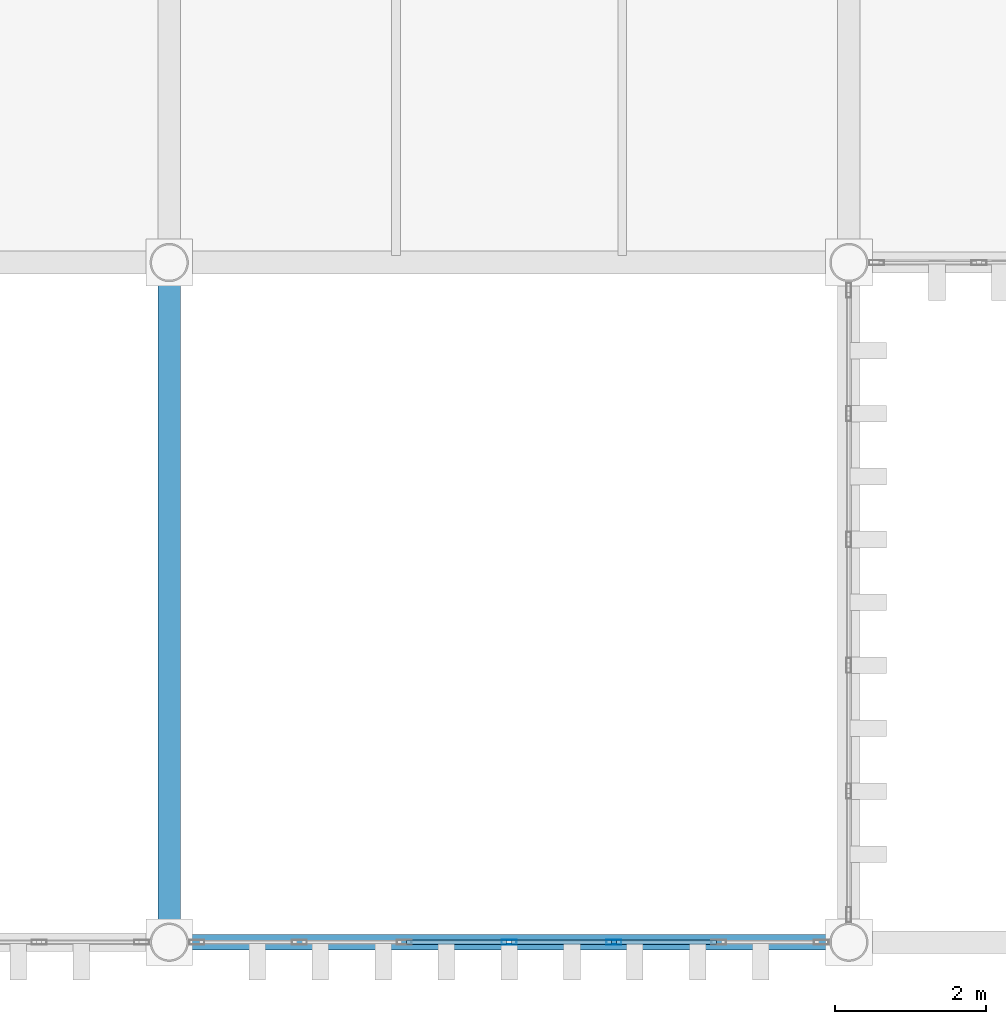
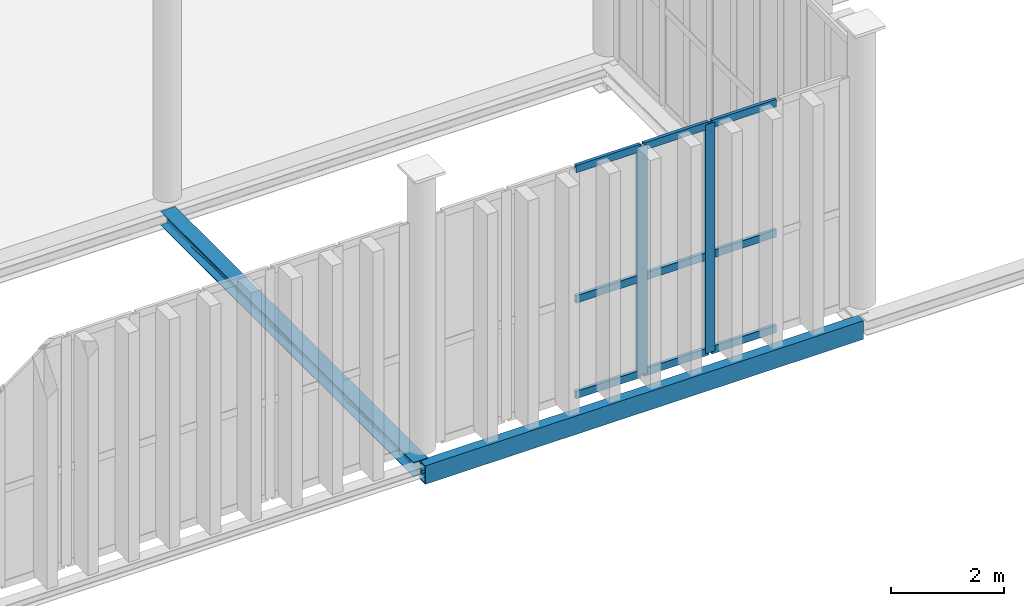
# One storey, part 27 of 211: 11 members, 2 beams, 1 element without a shape of its own.
"""IFC4 building model written with IfcOpenShell, lengths in metres."""

import ifcopenshell
import ifcopenshell.guid

model = None  # the IFC model being written
_history = None  # IfcOwnerHistory: only IFC2X3 demands one
_inside = {}  # id of a spatial element -> (the spatial element, [elements in it])
_under = {}  # id of a project, library or spatial element -> (it, [spatial elements below it])
_declared = {}  # id of a project -> (the project, [libraries it declares])
_typed = {}  # id of a type object -> (the type object, [elements of that type])
_made_of = {}  # id of a material, layer set ... -> (it, [elements and type objects made of it])


def new_model(schema):
    """Start an empty IFC model of exactly this schema.

    Asked for "IFC4X3", IfcOpenShell would pick the latest addendum, in which some entities
    have other attributes; the version numbers below select the first issue.
    IFC2X3 requires an IfcOwnerHistory on every rooted entity: one is made here for all.
    """
    global model, _history
    if schema == "IFC4X3":
        model = ifcopenshell.file(schema_version=(4, 3, 0, 0))
    else:
        model = ifcopenshell.file(schema=schema)
    _inside.clear()
    _under.clear()
    _declared.clear()
    _typed.clear()
    _made_of.clear()
    _history = None
    if model.schema == "IFC2X3":
        org = make("IfcOrganization", Name="unknown")
        user = make(
            "IfcPersonAndOrganization",
            ThePerson=make("IfcPerson", FamilyName="unknown"),
            TheOrganization=org,
        )
        app = make(
            "IfcApplication",
            ApplicationDeveloper=org,
            Version="unknown",
            ApplicationFullName="unknown",
            ApplicationIdentifier="unknown",
        )
        _history = make(
            "IfcOwnerHistory",
            OwningUser=user,
            OwningApplication=app,
            ChangeAction="ADDED",
            CreationDate=0,
        )
    return model


def make(cls, **values):
    """One entity of the class cls with the attributes given. An attribute that is None is left unset."""
    return model.create_entity(
        cls, **{name: value for name, value in values.items() if value is not None}
    )


def rooted(cls, **values):
    """An entity with a GlobalId (a new one), such as an element, a storey or a relation."""
    return make(cls, GlobalId=ifcopenshell.guid.new(), OwnerHistory=_history, **values)


def si_unit(unit_type, name, prefix=None):
    """IfcSIUnit, for example si_unit("LENGTHUNIT", "METRE", prefix="MILLI")."""
    return make("IfcSIUnit", UnitType=unit_type, Prefix=prefix, Name=name)


def assignment(units):
    """IfcUnitAssignment: the units of a project."""
    return None if units is None else make("IfcUnitAssignment", Units=units)


def point(xyz):
    """IfcCartesianPoint."""
    return None if xyz is None else make("IfcCartesianPoint", Coordinates=xyz)


def direction(xyz):
    """IfcDirection."""
    return None if xyz is None else make("IfcDirection", DirectionRatios=xyz)


def frame(location, z_axis=None, x_axis=None):
    """IfcAxis2Placement3D, a coordinate frame: its origin and axes. An axis left out is left unset."""
    return make(
        "IfcAxis2Placement3D",
        Location=point(location),
        Axis=direction(z_axis),
        RefDirection=direction(x_axis),
    )


def frame_2d(location, x_axis=None):
    """IfcAxis2Placement2D, a coordinate frame in the plane: its origin and x axis."""
    return make(
        "IfcAxis2Placement2D", Location=point(location), RefDirection=direction(x_axis)
    )


def origin():
    """The frame at (0, 0, 0) with its axes left unset."""
    return frame((0.0, 0.0, 0.0))


def origin_2d():
    """The frame at (0, 0) in the plane with its x axis left unset."""
    return frame_2d((0.0, 0.0))


def place(relative_to, where):
    """IfcLocalPlacement: puts the frame where relative to a parent placement (None: the world)."""
    return make(
        "IfcLocalPlacement", PlacementRelTo=relative_to, RelativePlacement=where
    )


def context(
    kind, dimensions, precision=None, world=None, true_north=None, identifier=None
):
    """IfcGeometricRepresentationContext, for example the 3D "Model" context."""
    return make(
        "IfcGeometricRepresentationContext",
        ContextIdentifier=identifier,
        ContextType=kind,
        CoordinateSpaceDimension=dimensions,
        Precision=precision,
        WorldCoordinateSystem=world,
        TrueNorth=true_north,
    )


def subcontext(parent, identifier, kind, view, scale=None):
    """IfcGeometricRepresentationSubContext, for example "Body" below "Model"."""
    return make(
        "IfcGeometricRepresentationSubContext",
        ContextIdentifier=identifier,
        ContextType=kind,
        ParentContext=parent,
        TargetScale=scale,
        TargetView=view,
    )


def project(units=None, contexts=None):
    """IfcProject with its units and contexts."""
    return rooted(
        "IfcProject",
        Name="project",
        RepresentationContexts=contexts,
        UnitsInContext=assignment(units),
    )


def spatial(cls, under=None, at=None, **own):
    """A site, building, storey or space (cls), placed at a placement, below another one or the project."""
    s = rooted(cls, ObjectPlacement=at, **own)
    if under is not None:
        _under.setdefault(under.id(), (under, []))[1].append(s)
    return s


def profile(cls, at=None, kind="AREA", **sizes):
    """A parametric profile (cls). Its sizes go by their IFC names, for example OverallWidth=200.0."""
    return make(cls, ProfileType=kind, Position=at, **sizes)


def hollow_rectangle(**sizes):
    """IfcRectangleHollowProfileDef."""
    return profile("IfcRectangleHollowProfileDef", **sizes)


def i_section(**sizes):
    """IfcIShapeProfileDef."""
    return profile("IfcIShapeProfileDef", **sizes)


def extrude(swept, where, along, depth):
    """IfcExtrudedAreaSolid: the profile swept, set in the frame where, extruded along a direction by depth."""
    return make(
        "IfcExtrudedAreaSolid",
        SweptArea=swept,
        Position=where,
        ExtrudedDirection=direction(along),
        Depth=depth,
    )


def shape(context_of_items, identifier, shape_type, items):
    """IfcShapeRepresentation: the items that make up one representation, for example the "Body"."""
    return make(
        "IfcShapeRepresentation",
        ContextOfItems=context_of_items,
        RepresentationIdentifier=identifier,
        RepresentationType=shape_type,
        Items=items,
    )


def material(Name=None, Category=None):
    """IfcMaterial."""
    return make("IfcMaterial", Name=Name, Category=Category)


def layer(
    of_material, thickness, ventilated=None, Name=None, Category=None, Priority=None
):
    """IfcMaterialLayer: one layer of a wall or slab, of a material (None: an air gap)."""
    return make(
        "IfcMaterialLayer",
        Material=of_material,
        LayerThickness=thickness,
        IsVentilated=ventilated,
        Name=Name,
        Category=Category,
        Priority=Priority,
    )


def layer_set(layers, Name=None):
    """IfcMaterialLayerSet."""
    return make("IfcMaterialLayerSet", MaterialLayers=layers, LayerSetName=Name)


def material_profile(
    of_material, cross_section, Name=None, Category=None, Priority=None
):
    """IfcMaterialProfile: a cross section and its material."""
    return make(
        "IfcMaterialProfile",
        Name=Name,
        Material=of_material,
        Profile=cross_section,
        Priority=Priority,
        Category=Category,
    )


def profile_set(profiles, Name=None, composite=None):
    """IfcMaterialProfileSet."""
    return make(
        "IfcMaterialProfileSet",
        Name=Name,
        MaterialProfiles=profiles,
        CompositeProfile=composite,
    )


def made_of(thing, what):
    """Note that an element or type object is made of a material, layer set ...; save() writes the relation."""
    if what is not None:
        _made_of.setdefault(what.id(), (what, []))[1].append(thing)
    return thing


def type_object(cls, material=None, **own):
    """A type object (cls), such as IfcWallType, which elements share."""
    return made_of(rooted(cls, **own), material)


def element(
    cls,
    number,
    at=None,
    inside=None,
    cuts=None,
    type_object=None,
    material=None,
    context=None,
    identifier="Body",
    shape_type=None,
    held_by="IfcProductDefinitionShape",
    body=None,
    shapes=None,
    **own,
):
    """One element of the class cls, such as IfcWall. Its Tag is "e" and its number.

    at: its placement. inside: the storey or other place that contains it. cuts: it is an
    opening in that element (IfcRelVoidsElement). A single representation is given by context,
    identifier, shape_type and body (its items); several are given by shapes. held_by: the class
    of the entity that holds the representations. save() writes the other relations.
    """
    e = rooted(cls, Tag="e%d" % number, ObjectPlacement=at, **own)
    if body is not None:
        shapes = [shape(context, identifier, shape_type, body)]
    if shapes is not None:
        e.Representation = make(held_by, Representations=shapes)
    if inside is not None:
        _inside.setdefault(inside.id(), (inside, []))[1].append(e)
    if cuts is not None:
        rooted(
            "IfcRelVoidsElement", RelatingBuildingElement=cuts, RelatedOpeningElement=e
        )
    if type_object is not None:
        _typed.setdefault(type_object.id(), (type_object, []))[1].append(e)
    return made_of(e, material)


def aggregate(whole, parts):
    """IfcRelAggregates: a whole, such as a stair, and the parts it consists of."""
    return rooted("IfcRelAggregates", RelatingObject=whole, RelatedObjects=parts)


def save(model, path):
    """Write the relations noted so far, then the file.

    IfcRelAggregates (storeys below a building ...), IfcRelContainedInSpatialStructure (elements
    in a storey), IfcRelDefinesByType, IfcRelAssociatesMaterial and IfcRelDeclares: one each for
    every whole, place, type object, material and project.
    """
    for whole, parts in _under.values():
        aggregate(whole, parts)
    for where, things in _inside.values():
        rooted(
            "IfcRelContainedInSpatialStructure",
            RelatedElements=things,
            RelatingStructure=where,
        )
    for kind, things in _typed.values():
        rooted("IfcRelDefinesByType", RelatedObjects=things, RelatingType=kind)
    for what, things in _made_of.values():
        rooted("IfcRelAssociatesMaterial", RelatedObjects=things, RelatingMaterial=what)
    for by, libraries in _declared.values():
        rooted("IfcRelDeclares", RelatingContext=by, RelatedDefinitions=libraries)
    model.write(path)


model = new_model("IFC4")

# Units and contexts
model_context = context("Model", 3, precision=1e-05, world=origin(), true_north=direction((0.0, 1.0)))
body_context = subcontext(model_context, "Body", "Model", "MODEL_VIEW")
ifc_project = project(units=[si_unit("LENGTHUNIT", "METRE"), si_unit("AREAUNIT", "SQUARE_METRE"), si_unit("VOLUMEUNIT", "CUBIC_METRE"), si_unit("PLANEANGLEUNIT", "RADIAN"), si_unit("MASSUNIT", "GRAM", prefix="KILO")], contexts=[model_context])

# Site, building, storey
site_placement = place(None, origin())
site = spatial("IfcSite", under=ifc_project, at=site_placement, CompositionType="ELEMENT")
building_placement = place(site_placement, origin())
building = spatial("IfcBuilding", under=site, at=building_placement, Name="Barlavento Convention Centre", CompositionType="ELEMENT")
storey_placement = place(building_placement, frame((0.0, 0.0, 6.0)))
storey = spatial("IfcBuildingStorey", under=building, at=storey_placement, Name="L01", CompositionType="ELEMENT", Elevation=6.0)

# Curtain wall, members
ifc_material_1 = material(Name="Powder-coated aluminium and Low-E glass", Category="aluminium")
ifc_layer = layer(ifc_material_1, 0.18505859375)
ifc_layer_set = layer_set([ifc_layer], Name="ARC-CW-CONG-L01")
curtain_wall_type = type_object("IfcCurtainWallType", Name="ARC-CW-CONG-L01", PredefinedType="NOTDEFINED", material=ifc_layer_set)
curtain_wall_placement = place(storey_placement, origin())
curtain_wall = element("IfcCurtainWall", 1, at=curtain_wall_placement, inside=storey, type_object=curtain_wall_type, Name="L01 unitised curtain wall CW01", PredefinedType="NOTDEFINED")
ifc_material_2 = material(Name="Powder-coated aluminium", Category="aluminium")
ifc_material_profile_1 = material_profile(ifc_material_2, hollow_rectangle(XDim=0.06494140625, YDim=0.199951171875, WallThickness=0.0048828125, at=origin_2d()), Name="AL-MULL 65x200x5")
ifc_profile_set_1 = profile_set([ifc_material_profile_1], Name="Powder-coated aluminium")
member_type_1 = type_object("IfcMemberType", Name="ARC-CWM-65X200", PredefinedType="MULLION", material=ifc_profile_set_1)
member_1_placement = place(storey_placement, frame((13.5, 0.0, 0.0), z_axis=(0.0, 0.0, 1.0), x_axis=(0.0, 1.0, 0.0)))
member_1 = element("IfcMember", 2, at=member_1_placement, type_object=member_type_1, Name="CW01 mullion 4", PredefinedType="MULLION", context=body_context, shape_type="SweptSolid", body=[
    extrude(hollow_rectangle(XDim=0.06494140625, YDim=0.199951171875, WallThickness=0.0048828125, at=origin_2d()), origin(), (0.0, 0.0, 1.0), 4.949951171875),
])
member_2_placement = place(storey_placement, frame((14.888671875, 0.0, 0.0), z_axis=(0.0, 0.0, 1.0), x_axis=(0.0, 1.0, 0.0)))
member_2 = element("IfcMember", 3, at=member_2_placement, type_object=member_type_1, Name="CW01 mullion 5", PredefinedType="MULLION", context=body_context, shape_type="SweptSolid", body=[
    extrude(hollow_rectangle(XDim=0.06494140625, YDim=0.199951171875, WallThickness=0.0048828125, at=origin_2d()), origin(), (0.0, 0.0, 1.0), 4.949951171875),
])
ifc_material_profile_2 = material_profile(ifc_material_2, hollow_rectangle(XDim=0.06494140625, YDim=0.159912109375, WallThickness=0.0048828125, at=origin_2d()), Name="AL-TRAN 65x160x5")
ifc_profile_set_2 = profile_set([ifc_material_profile_2], Name="Powder-coated aluminium")
member_type_2 = type_object("IfcMemberType", Name="ARC-CWT-65X160", PredefinedType="USERDEFINED", material=ifc_profile_set_2)
member_3_placement = place(storey_placement, frame((12.143798828125, 0.0, 0.032470703125), z_axis=(1.0, 0.0, 0.0), x_axis=(0.0, 1.0, 0.0)))
member_3 = element("IfcMember", 4, at=member_3_placement, type_object=member_type_2, Name="CW01 transom 3.1", ObjectType="TRANSOM", PredefinedType="USERDEFINED", context=body_context, shape_type="SweptSolid", body=[
    extrude(hollow_rectangle(XDim=0.06494140625, YDim=0.159912109375, WallThickness=0.0048828125, at=origin_2d()), origin(), (0.0, 0.0, 1.0), 1.32373046875),
])
member_4_placement = place(storey_placement, frame((12.143798828125, 0.0, 2.10009765625), z_axis=(1.0, 0.0, 0.0), x_axis=(0.0, 1.0, 0.0)))
member_4 = element("IfcMember", 5, at=member_4_placement, type_object=member_type_2, Name="CW01 transom 3.2", ObjectType="TRANSOM", PredefinedType="USERDEFINED", context=body_context, shape_type="SweptSolid", body=[
    extrude(hollow_rectangle(XDim=0.06494140625, YDim=0.159912109375, WallThickness=0.0048828125, at=origin_2d()), origin(), (0.0, 0.0, 1.0), 1.32373046875),
])
member_5_placement = place(storey_placement, frame((12.143798828125, 0.0, 4.91748046875), z_axis=(1.0, 0.0, 0.0), x_axis=(0.0, 1.0, 0.0)))
member_5 = element("IfcMember", 6, at=member_5_placement, type_object=member_type_2, Name="CW01 transom 3.3", ObjectType="TRANSOM", PredefinedType="USERDEFINED", context=body_context, shape_type="SweptSolid", body=[
    extrude(hollow_rectangle(XDim=0.06494140625, YDim=0.159912109375, WallThickness=0.0048828125, at=origin_2d()), origin(), (0.0, 0.0, 1.0), 1.32373046875),
])
member_6_placement = place(storey_placement, frame((13.532470703125, 0.0, 0.032470703125), z_axis=(1.0, 0.0, 0.0), x_axis=(0.0, 1.0, 0.0)))
member_6 = element("IfcMember", 7, at=member_6_placement, type_object=member_type_2, Name="CW01 transom 4.1", ObjectType="TRANSOM", PredefinedType="USERDEFINED", context=body_context, shape_type="SweptSolid", body=[
    extrude(hollow_rectangle(XDim=0.06494140625, YDim=0.159912109375, WallThickness=0.0048828125, at=origin_2d()), origin(), (0.0, 0.0, 1.0), 1.32373046875),
])
member_7_placement = place(storey_placement, frame((13.532470703125, 0.0, 2.10009765625), z_axis=(1.0, 0.0, 0.0), x_axis=(0.0, 1.0, 0.0)))
member_7 = element("IfcMember", 8, at=member_7_placement, type_object=member_type_2, Name="CW01 transom 4.2", ObjectType="TRANSOM", PredefinedType="USERDEFINED", context=body_context, shape_type="SweptSolid", body=[
    extrude(hollow_rectangle(XDim=0.06494140625, YDim=0.159912109375, WallThickness=0.0048828125, at=origin_2d()), origin(), (0.0, 0.0, 1.0), 1.32373046875),
])
member_8_placement = place(storey_placement, frame((13.532470703125, 0.0, 4.91748046875), z_axis=(1.0, 0.0, 0.0), x_axis=(0.0, 1.0, 0.0)))
member_8 = element("IfcMember", 9, at=member_8_placement, type_object=member_type_2, Name="CW01 transom 4.3", ObjectType="TRANSOM", PredefinedType="USERDEFINED", context=body_context, shape_type="SweptSolid", body=[
    extrude(hollow_rectangle(XDim=0.06494140625, YDim=0.159912109375, WallThickness=0.0048828125, at=origin_2d()), origin(), (0.0, 0.0, 1.0), 1.32373046875),
])
member_9_placement = place(storey_placement, frame((14.921142578125, 0.0, 0.032470703125), z_axis=(1.0, 0.0, 0.0), x_axis=(0.0, 1.0, 0.0)))
member_9 = element("IfcMember", 10, at=member_9_placement, type_object=member_type_2, Name="CW01 transom 5.1", ObjectType="TRANSOM", PredefinedType="USERDEFINED", context=body_context, shape_type="SweptSolid", body=[
    extrude(hollow_rectangle(XDim=0.06494140625, YDim=0.159912109375, WallThickness=0.0048828125, at=origin_2d()), origin(), (0.0, 0.0, 1.0), 1.32373046875),
])
member_10_placement = place(storey_placement, frame((14.921142578125, 0.0, 2.10009765625), z_axis=(1.0, 0.0, 0.0), x_axis=(0.0, 1.0, 0.0)))
member_10 = element("IfcMember", 11, at=member_10_placement, type_object=member_type_2, Name="CW01 transom 5.2", ObjectType="TRANSOM", PredefinedType="USERDEFINED", context=body_context, shape_type="SweptSolid", body=[
    extrude(hollow_rectangle(XDim=0.06494140625, YDim=0.159912109375, WallThickness=0.0048828125, at=origin_2d()), origin(), (0.0, 0.0, 1.0), 1.32373046875),
])
member_11_placement = place(storey_placement, frame((14.921142578125, 0.0, 4.91748046875), z_axis=(1.0, 0.0, 0.0), x_axis=(0.0, 1.0, 0.0)))
member_11 = element("IfcMember", 12, at=member_11_placement, type_object=member_type_2, Name="CW01 transom 5.3", ObjectType="TRANSOM", PredefinedType="USERDEFINED", context=body_context, shape_type="SweptSolid", body=[
    extrude(hollow_rectangle(XDim=0.06494140625, YDim=0.159912109375, WallThickness=0.0048828125, at=origin_2d()), origin(), (0.0, 0.0, 1.0), 1.32373046875),
])
aggregate(curtain_wall, [member_1, member_2, member_3, member_4, member_5, member_6, member_7, member_8, member_9, member_10, member_11])

# Beams
ifc_material_3 = material(Name="Steel S355", Category="steel")
ifc_material_profile_3 = material_profile(ifc_material_3, i_section(OverallWidth=0.300048828125, OverallDepth=0.31005859375, WebThickness=0.009033203125, FlangeThickness=0.015380859375, FilletRadius=0.027099609375, at=origin_2d()), Name="HEA 320")
ifc_profile_set_3 = profile_set([ifc_material_profile_3], Name="Steel S355")
beam_type_1 = type_object("IfcBeamType", Name="STR-BM-SPN-HEA320", PredefinedType="SPANDREL", material=ifc_profile_set_3)
beam_1_placement = place(storey_placement, frame((9.0, 0.02001953125, -0.455078125), z_axis=(0.0, 1.0, 0.0), x_axis=(-1.0, 0.0, 0.0)))
element("IfcBeam", 13, at=beam_1_placement, inside=storey, type_object=beam_type_1, Name="L01 grid girder SP01", PredefinedType="SPANDREL", context=body_context, shape_type="SweptSolid", body=[
    extrude(i_section(OverallWidth=0.300048828125, OverallDepth=0.31005859375, WebThickness=0.009033203125, FlangeThickness=0.015380859375, FilletRadius=0.027099609375, at=origin_2d()), origin(), (0.0, 0.0, 1.0), 8.9599609375),
])
ifc_material_profile_4 = material_profile(ifc_material_3, hollow_rectangle(XDim=0.199951171875, YDim=0.39990234375, WallThickness=0.01611328125, at=origin_2d()), Name="RHS 400x200x16.0")
ifc_profile_set_4 = profile_set([ifc_material_profile_4], Name="Steel S355")
beam_type_2 = type_object("IfcBeamType", Name="STR-BM-SPN-RHS400", PredefinedType="SPANDREL", material=ifc_profile_set_4)
beam_2_placement = place(storey_placement, frame((9.02001953125, 0.0, -0.56005859375), z_axis=(1.0, 0.0, 0.0), x_axis=(0.0, 1.0, 0.0)))
element("IfcBeam", 14, at=beam_2_placement, inside=storey, type_object=beam_type_2, Name="L01 primary girder SP06", PredefinedType="SPANDREL", context=body_context, shape_type="SweptSolid", body=[
    extrude(hollow_rectangle(XDim=0.199951171875, YDim=0.39990234375, WallThickness=0.01611328125, at=origin_2d()), origin(), (0.0, 0.0, 1.0), 8.9599609375),
])

save(model, "model.ifc")
